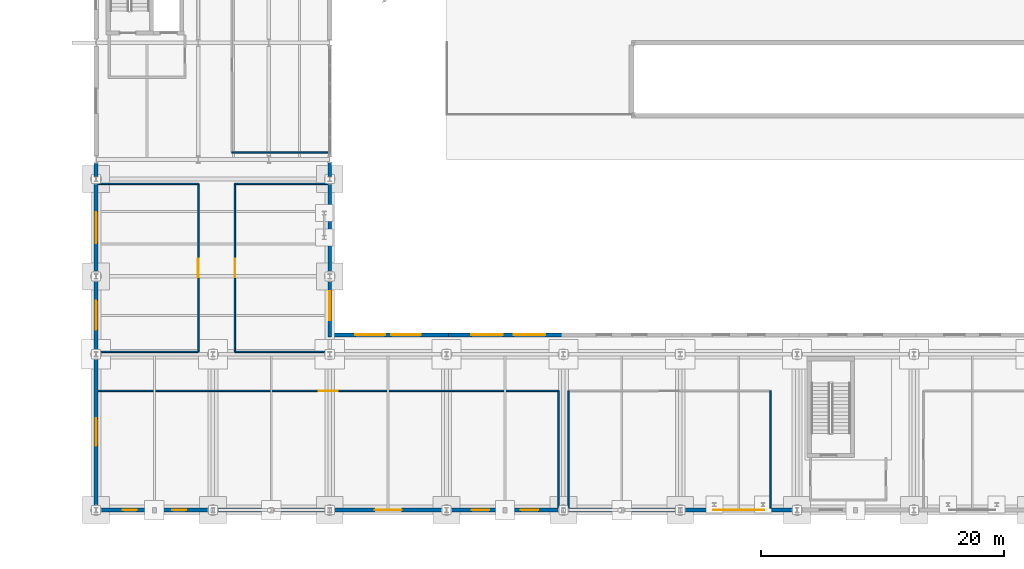
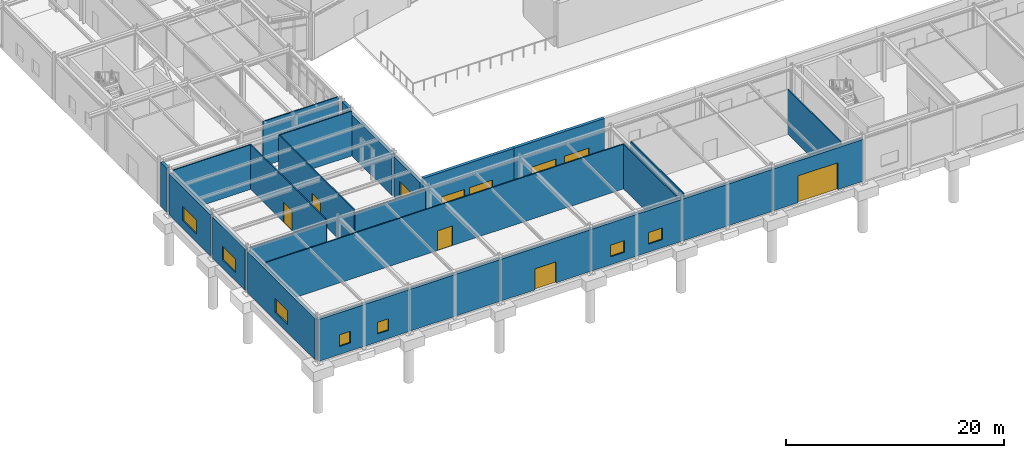
# One storey, part 84 of 109: 26 walls, 12 windows, 5 doors, 17 openings.
"""IFC4 building model written with IfcOpenShell, lengths in metres."""

from ifc_helpers import new_model, si_unit, direction, frame, frame_2d, origin, place, context, subcontext, project, spatial, rectangle, extrude, material, layer, layer_set, type_object, element, fill, save


model = new_model("IFC4")

# Units and contexts
model_context = context("Model", 3, precision=1e-05, world=origin(), true_north=direction((0.0, 1.0)))
body_context = subcontext(model_context, "Body", "Model", "MODEL_VIEW")
ifc_project = project(units=[si_unit("LENGTHUNIT", "METRE"), si_unit("AREAUNIT", "SQUARE_METRE"), si_unit("VOLUMEUNIT", "CUBIC_METRE"), si_unit("PLANEANGLEUNIT", "RADIAN"), si_unit("MASSUNIT", "GRAM", prefix="KILO")], contexts=[model_context])

# Site, building, storey
site_placement = place(None, origin())
site = spatial("IfcSite", under=ifc_project, at=site_placement, CompositionType="ELEMENT")
building_placement = place(site_placement, origin())
building = spatial("IfcBuilding", under=site, at=building_placement, Name="Nordkorset Police Headquarters", CompositionType="ELEMENT")
storey_placement = place(building_placement, origin())
storey = spatial("IfcBuildingStorey", under=building, at=storey_placement, Name="L00", CompositionType="ELEMENT", Elevation=0.0)

# Wall, openings, windows
ifc_material_1 = material(Name="Precast concrete C40/50", Category="concrete")
ifc_layer_1 = layer(ifc_material_1, 0.320068359375, Name="Precast concrete C40/50")
ifc_layer_set_1 = layer_set([ifc_layer_1], Name="Precast concrete C40/50")
wall_type_1 = type_object("IfcWallType", Name="Wall_ExtPlinth_320", PredefinedType="SOLIDWALL", material=ifc_layer_set_1)
wall_1_placement = place(storey_placement, frame((0.0087890625, 0.0, 0.0), z_axis=(0.0, 0.0, 1.0), x_axis=(1.0, 0.0, 0.0)))
wall_1 = element("IfcWall", 1, at=wall_1_placement, inside=storey, type_object=wall_type_1, Name="Exterior Insulated Precast Wall L00 V7S-0", PredefinedType="SOLIDWALL", context=body_context, shape_type="SweptSolid", body=[
    extrude(rectangle(XDim=9.58251953125, YDim=0.320068359375, at=frame_2d((4.791259765625, 0.0))), origin(), (0.0, 0.0, 1.0), 4.669921875),
])
opening_1_placement = place(wall_1_placement, frame((2.19970703125, 0.0, 0.89990234375)))
opening_1 = element("IfcOpeningElement", 2, at=opening_1_placement, cuts=wall_1, Name="Opening WN-48", PredefinedType="OPENING", context=body_context, shape_type="SweptSolid", body=[
    extrude(rectangle(XDim=1.14990234375, YDim=1.300048828125, at=frame_2d((0.574951171875, 0.64990234375))), frame((0.0, 0.169921875, 0.0), z_axis=(0.0, -1.0, 0.0), x_axis=(1.0, 0.0, 0.0)), (0.0, 0.0, 1.0), 0.340087890625),
])
opening_2_placement = place(wall_1_placement, frame((6.23291015625, 0.0, 0.89990234375)))
opening_2 = element("IfcOpeningElement", 3, at=opening_2_placement, cuts=wall_1, Name="Opening WN-48", PredefinedType="OPENING", context=body_context, shape_type="SweptSolid", body=[
    extrude(rectangle(XDim=1.14990234375, YDim=1.300048828125, at=frame_2d((0.574951171875, 0.64990234375))), frame((0.0, 0.169921875, 0.0), z_axis=(0.0, -1.0, 0.0), x_axis=(1.0, 0.0, 0.0)), (0.0, 0.0, 1.0), 0.340087890625),
])
ifc_material_2 = material(Name="Low-iron triple glazing", Category="glass")
window_type_1 = type_object("IfcWindowType", Name="Win_1150x1300", PartitioningType="SINGLE_PANEL", PredefinedType="WINDOW", material=ifc_material_2)
window_1_placement = place(opening_1_placement, origin())
window_1 = element("IfcWindow", 4, at=window_1_placement, inside=storey, type_object=window_type_1, Name="Triple-Glazed Exterior Window L00 V7S-0-1", OverallHeight=1.300048828125, OverallWidth=1.14990234375, PartitioningType="SINGLE_PANEL", PredefinedType="WINDOW", context=body_context, shape_type="SweptSolid", body=[
    extrude(rectangle(XDim=1.14990234375, YDim=1.300048828125, at=frame_2d((0.574951171875, 0.64990234375))), frame((0.0, 0.030029296875, 0.0), z_axis=(0.0, -1.0, 0.0), x_axis=(1.0, 0.0, 0.0)), (0.0, 0.0, 1.0), 0.06005859375),
])
fill(opening_1, window_1)
window_2_placement = place(opening_2_placement, origin())
window_2 = element("IfcWindow", 5, at=window_2_placement, inside=storey, type_object=window_type_1, Name="Triple-Glazed Exterior Window L00 V7S-0-2", OverallHeight=1.300048828125, OverallWidth=1.14990234375, PartitioningType="SINGLE_PANEL", PredefinedType="WINDOW", context=body_context, shape_type="SweptSolid", body=[
    extrude(rectangle(XDim=1.14990234375, YDim=1.300048828125, at=frame_2d((0.574951171875, 0.64990234375))), frame((0.0, 0.030029296875, 0.0), z_axis=(0.0, -1.0, 0.0), x_axis=(1.0, 0.0, 0.0)), (0.0, 0.0, 1.0), 0.06005859375),
])
fill(opening_2, window_2)

# Wall
wall_2_placement = place(storey_placement, frame((9.608642578125, 0.0, 0.0), z_axis=(0.0, 0.0, 1.0), x_axis=(1.0, 0.0, 0.0)))
element("IfcWall", 6, at=wall_2_placement, inside=storey, type_object=wall_type_1, Name="Exterior Insulated Precast Wall L00 V7S-1", PredefinedType="SOLIDWALL", context=body_context, shape_type="SweptSolid", body=[
    extrude(rectangle(XDim=9.58251953125, YDim=0.320068359375, at=frame_2d((4.791259765625, 0.0))), origin(), (0.0, 0.0, 1.0), 4.669921875),
])

# Wall, opening, door
wall_3_placement = place(storey_placement, frame((19.208740234375, 0.0, 0.0), z_axis=(0.0, 0.0, 1.0), x_axis=(1.0, 0.0, 0.0)))
wall_3 = element("IfcWall", 7, at=wall_3_placement, inside=storey, type_object=wall_type_1, Name="Exterior Insulated Precast Wall L00 V7S-ED10", PredefinedType="SOLIDWALL", context=body_context, shape_type="SweptSolid", body=[
    extrude(rectangle(XDim=9.58251953125, YDim=0.320068359375, at=frame_2d((4.791259765625, 0.0))), origin(), (0.0, 0.0, 1.0), 4.669921875),
])
opening_3_placement = place(wall_3_placement, frame((3.69140625, 0.0, 0.0)))
opening_3 = element("IfcOpeningElement", 8, at=opening_3_placement, cuts=wall_3, Name="Opening ED-10", PredefinedType="OPENING", context=body_context, shape_type="SweptSolid", body=[
    extrude(rectangle(XDim=2.199951171875, YDim=2.35009765625, at=frame_2d((1.10009765625, 1.175048828125))), frame((0.0, 0.169921875, 0.0), z_axis=(0.0, -1.0, 0.0), x_axis=(1.0, 0.0, 0.0)), (0.0, 0.0, 1.0), 0.340087890625),
])
ifc_material_3 = material(Name="Aluminium alloy AW-6060", Category="aluminium")
door_type_1 = type_object("IfcDoorType", Name="ExtDoor_CivicExit_2200x2350", OperationType="DOUBLE_DOOR_SINGLE_SWING", PredefinedType="DOOR", material=ifc_material_3)
door_1_placement = place(opening_3_placement, frame((2.199951171875, 0.0, 0.0), z_axis=(0.0, 0.0, 1.0), x_axis=(-1.0, 0.0, 0.0)))
door_1 = element("IfcDoor", 9, at=door_1_placement, inside=storey, type_object=door_type_1, Name="Logistics Plinth West Final Exit Door ED-10", OperationType="SINGLE_SWING_LEFT", OverallHeight=2.35009765625, OverallWidth=2.199951171875, PredefinedType="DOOR", context=body_context, shape_type="SweptSolid", body=[
    extrude(rectangle(XDim=2.199951171875, YDim=2.35009765625, at=frame_2d((1.10009765625, 1.175048828125))), frame((0.0, 0.02490234375, 0.0), z_axis=(0.0, -1.0, 0.0), x_axis=(1.0, 0.0, 0.0)), (0.0, 0.0, 1.0), 0.050048828125),
])
fill(opening_3, door_1)

# Wall, openings, windows
wall_4_placement = place(storey_placement, frame((28.808837890625, 0.0, 0.0), z_axis=(0.0, 0.0, 1.0), x_axis=(1.0, 0.0, 0.0)))
wall_4 = element("IfcWall", 10, at=wall_4_placement, inside=storey, type_object=wall_type_1, Name="Exterior Insulated Precast Wall L00 V7S-3", PredefinedType="SOLIDWALL", context=body_context, shape_type="SweptSolid", body=[
    extrude(rectangle(XDim=9.58251953125, YDim=0.320068359375, at=frame_2d((4.791259765625, 0.0))), origin(), (0.0, 0.0, 1.0), 4.669921875),
])
opening_4_placement = place(wall_4_placement, frame((2.049560546875, 0.0, 0.89990234375)))
opening_4 = element("IfcOpeningElement", 11, at=opening_4_placement, cuts=wall_4, Name="Opening WN-02", PredefinedType="OPENING", context=body_context, shape_type="SweptSolid", body=[
    extrude(rectangle(XDim=1.449951171875, YDim=1.300048828125, at=frame_2d((0.72509765625, 0.64990234375))), frame((0.0, 0.169921875, 0.0), z_axis=(0.0, -1.0, 0.0), x_axis=(1.0, 0.0, 0.0)), (0.0, 0.0, 1.0), 0.340087890625),
])
opening_5_placement = place(wall_4_placement, frame((6.0830078125, 0.0, 0.89990234375)))
opening_5 = element("IfcOpeningElement", 12, at=opening_5_placement, cuts=wall_4, Name="Opening WN-02", PredefinedType="OPENING", context=body_context, shape_type="SweptSolid", body=[
    extrude(rectangle(XDim=1.449951171875, YDim=1.300048828125, at=frame_2d((0.72509765625, 0.64990234375))), frame((0.0, 0.169921875, 0.0), z_axis=(0.0, -1.0, 0.0), x_axis=(1.0, 0.0, 0.0)), (0.0, 0.0, 1.0), 0.340087890625),
])
ifc_material_4 = material(Name="Low-iron triple glazing", Category="glass")
window_type_2 = type_object("IfcWindowType", Name="Win_1450x1300", PartitioningType="SINGLE_PANEL", PredefinedType="WINDOW", material=ifc_material_4)
window_3_placement = place(opening_4_placement, origin())
window_3 = element("IfcWindow", 13, at=window_3_placement, inside=storey, type_object=window_type_2, Name="Triple-Glazed Exterior Window L00 V7S-3-1", OverallHeight=1.300048828125, OverallWidth=1.449951171875, PartitioningType="SINGLE_PANEL", PredefinedType="WINDOW", context=body_context, shape_type="SweptSolid", body=[
    extrude(rectangle(XDim=1.449951171875, YDim=1.300048828125, at=frame_2d((0.72509765625, 0.64990234375))), frame((0.0, 0.030029296875, 0.0), z_axis=(0.0, -1.0, 0.0), x_axis=(1.0, 0.0, 0.0)), (0.0, 0.0, 1.0), 0.06005859375),
])
fill(opening_4, window_3)
window_4_placement = place(opening_5_placement, origin())
window_4 = element("IfcWindow", 14, at=window_4_placement, inside=storey, type_object=window_type_2, Name="Triple-Glazed Exterior Window L00 V7S-3-2", OverallHeight=1.300048828125, OverallWidth=1.449951171875, PartitioningType="SINGLE_PANEL", PredefinedType="WINDOW", context=body_context, shape_type="SweptSolid", body=[
    extrude(rectangle(XDim=1.449951171875, YDim=1.300048828125, at=frame_2d((0.72509765625, 0.64990234375))), frame((0.0, 0.030029296875, 0.0), z_axis=(0.0, -1.0, 0.0), x_axis=(1.0, 0.0, 0.0)), (0.0, 0.0, 1.0), 0.06005859375),
])
fill(opening_5, window_4)

# Wall
wall_5_placement = place(storey_placement, frame((38.40869140625, 0.0, 0.0), z_axis=(0.0, 0.0, 1.0), x_axis=(1.0, 0.0, 0.0)))
element("IfcWall", 15, at=wall_5_placement, inside=storey, type_object=wall_type_1, Name="Exterior Insulated Precast Wall L00 V7S-4", PredefinedType="SOLIDWALL", context=body_context, shape_type="SweptSolid", body=[
    extrude(rectangle(XDim=9.58251953125, YDim=0.320068359375, at=frame_2d((4.791259765625, 0.0))), origin(), (0.0, 0.0, 1.0), 4.669921875),
])

# Wall, opening, door
wall_6_placement = place(storey_placement, frame((48.0087890625, 0.0, 0.0), z_axis=(0.0, 0.0, 1.0), x_axis=(1.0, 0.0, 0.0)))
wall_6 = element("IfcWall", 16, at=wall_6_placement, inside=storey, type_object=wall_type_1, Name="Exterior Insulated Precast Wall L00 V7S-VG04", PredefinedType="SOLIDWALL", context=body_context, shape_type="SweptSolid", body=[
    extrude(rectangle(XDim=9.58251953125, YDim=0.320068359375, at=frame_2d((4.791259765625, 0.0))), origin(), (0.0, 0.0, 1.0), 4.669921875),
])
opening_6_placement = place(wall_6_placement, frame((2.69140625, 0.0, 0.0)))
opening_6 = element("IfcOpeningElement", 17, at=opening_6_placement, cuts=wall_6, Name="Opening VG-04", PredefinedType="OPENING", context=body_context, shape_type="SweptSolid", body=[
    extrude(rectangle(XDim=4.199951171875, YDim=3.0, at=frame_2d((2.10009765625, 1.5))), frame((0.0, 0.169921875, 0.0), z_axis=(0.0, -1.0, 0.0), x_axis=(1.0, 0.0, 0.0)), (0.0, 0.0, 1.0), 0.340087890625),
])
ifc_material_5 = material(Name="Steel S355J2", Category="steel")
door_type_2 = type_object("IfcDoorType", Name="Shutter_FleetBay_4200x3000", OperationType="ROLLINGUP", PredefinedType="USERDEFINED", material=ifc_material_5)
door_2_placement = place(opening_6_placement, frame((4.199951171875, 0.0, 0.0), z_axis=(0.0, 0.0, 1.0), x_axis=(-1.0, 0.0, 0.0)))
door_2 = element("IfcDoor", 18, at=door_2_placement, inside=storey, type_object=door_type_2, Name="Fleet Wash Bay Roller Shutter VG-04", ObjectType="ROLLER SHUTTER", OperationType="SINGLE_SWING_LEFT", OverallHeight=3.0, OverallWidth=4.199951171875, PredefinedType="USERDEFINED", context=body_context, shape_type="SweptSolid", body=[
    extrude(rectangle(XDim=4.199951171875, YDim=3.0, at=frame_2d((2.10009765625, 1.5))), frame((0.0, 0.02490234375, 0.0), z_axis=(0.0, -1.0, 0.0), x_axis=(1.0, 0.0, 0.0)), (0.0, 0.0, 1.0), 0.050048828125),
])
fill(opening_6, door_2)

# Wall, opening, window
wall_7_placement = place(storey_placement, frame((0.0, 0.201904296875, 0.0), z_axis=(0.0, 0.0, 1.0), x_axis=(0.0, 1.0, 0.0)))
wall_7 = element("IfcWall", 19, at=wall_7_placement, inside=storey, type_object=wall_type_1, Name="Exterior Insulated Precast Wall L00 V7W-OUT-0", PredefinedType="SOLIDWALL", context=body_context, shape_type="SweptSolid", body=[
    extrude(rectangle(XDim=12.39599609375, YDim=0.320068359375, at=frame_2d((6.197998046875, 0.0))), origin(), (0.0, 0.0, 1.0), 4.590087890625),
])
opening_7_placement = place(wall_7_placement, frame((5.072998046875, 0.0, 0.89990234375)))
opening_7 = element("IfcOpeningElement", 20, at=opening_7_placement, cuts=wall_7, Name="Opening WN-41", PredefinedType="OPENING", context=body_context, shape_type="SweptSolid", body=[
    extrude(rectangle(XDim=2.25, YDim=1.550048828125, at=frame_2d((1.125, 0.77490234375))), frame((0.0, 0.169921875, 0.0), z_axis=(0.0, -1.0, 0.0), x_axis=(1.0, 0.0, 0.0)), (0.0, 0.0, 1.0), 0.340087890625),
])
ifc_material_6 = material(Name="Low-iron triple glazing", Category="glass")
window_type_3 = type_object("IfcWindowType", Name="Win_2250x1550", PartitioningType="SINGLE_PANEL", PredefinedType="WINDOW", material=ifc_material_6)
window_5_placement = place(opening_7_placement, origin())
window_5 = element("IfcWindow", 21, at=window_5_placement, inside=storey, type_object=window_type_3, Name="Triple-Glazed Exterior Window L00 V7W-OUT-0-1", OverallHeight=1.550048828125, OverallWidth=2.25, PartitioningType="SINGLE_PANEL", PredefinedType="WINDOW", context=body_context, shape_type="SweptSolid", body=[
    extrude(rectangle(XDim=2.25, YDim=1.550048828125, at=frame_2d((1.125, 0.77490234375))), frame((0.0, 0.030029296875, 0.0), z_axis=(0.0, -1.0, 0.0), x_axis=(1.0, 0.0, 0.0)), (0.0, 0.0, 1.0), 0.06005859375),
])
fill(opening_7, window_5)

wall_8_placement = place(storey_placement, frame((0.0, 13.001953125, 0.0), z_axis=(0.0, 0.0, 1.0), x_axis=(0.0, 1.0, 0.0)))
wall_8 = element("IfcWall", 22, at=wall_8_placement, inside=storey, type_object=wall_type_1, Name="Exterior Insulated Precast Wall L00 V7W-OUT-1", PredefinedType="SOLIDWALL", context=body_context, shape_type="SweptSolid", body=[
    extrude(rectangle(XDim=5.99609375, YDim=0.320068359375, at=frame_2d((2.998046875, 0.0))), origin(), (0.0, 0.0, 1.0), 4.590087890625),
])
opening_8_placement = place(wall_8_placement, frame((1.798095703125, 0.0, 0.89990234375)))
opening_8 = element("IfcOpeningElement", 23, at=opening_8_placement, cuts=wall_8, Name="Opening WN-21", PredefinedType="OPENING", context=body_context, shape_type="SweptSolid", body=[
    extrude(rectangle(XDim=2.39990234375, YDim=1.550048828125, at=frame_2d((1.199951171875, 0.77490234375))), frame((0.0, 0.169921875, 0.0), z_axis=(0.0, -1.0, 0.0), x_axis=(1.0, 0.0, 0.0)), (0.0, 0.0, 1.0), 0.340087890625),
])
ifc_material_7 = material(Name="Low-iron triple glazing", Category="glass")
window_type_4 = type_object("IfcWindowType", Name="Win_2400x1550", PartitioningType="SINGLE_PANEL", PredefinedType="WINDOW", material=ifc_material_7)
window_6_placement = place(opening_8_placement, origin())
window_6 = element("IfcWindow", 24, at=window_6_placement, inside=storey, type_object=window_type_4, Name="Triple-Glazed Exterior Window L00 V7W-OUT-1-1", OverallHeight=1.550048828125, OverallWidth=2.39990234375, PartitioningType="SINGLE_PANEL", PredefinedType="WINDOW", context=body_context, shape_type="SweptSolid", body=[
    extrude(rectangle(XDim=2.39990234375, YDim=1.550048828125, at=frame_2d((1.199951171875, 0.77490234375))), frame((0.0, 0.030029296875, 0.0), z_axis=(0.0, -1.0, 0.0), x_axis=(1.0, 0.0, 0.0)), (0.0, 0.0, 1.0), 0.06005859375),
])
fill(opening_8, window_6)

wall_9_placement = place(storey_placement, frame((0.0, 19.402099609375, 0.0), z_axis=(0.0, 0.0, 1.0), x_axis=(0.0, 1.0, 0.0)))
wall_9 = element("IfcWall", 25, at=wall_9_placement, inside=storey, type_object=wall_type_1, Name="Exterior Insulated Precast Wall L00 V7W-OUT-2", PredefinedType="SOLIDWALL", context=body_context, shape_type="SweptSolid", body=[
    extrude(rectangle(XDim=7.595947265625, YDim=0.320068359375, at=frame_2d((3.7978515625, 0.0))), origin(), (0.0, 0.0, 1.0), 4.590087890625),
])
opening_9_placement = place(wall_9_placement, frame((2.52294921875, 0.0, 0.89990234375)))
opening_9 = element("IfcOpeningElement", 26, at=opening_9_placement, cuts=wall_9, Name="Opening WN-06", PredefinedType="OPENING", context=body_context, shape_type="SweptSolid", body=[
    extrude(rectangle(XDim=2.550048828125, YDim=1.550048828125, at=frame_2d((1.27490234375, 0.77490234375))), frame((0.0, 0.169921875, 0.0), z_axis=(0.0, -1.0, 0.0), x_axis=(1.0, 0.0, 0.0)), (0.0, 0.0, 1.0), 0.340087890625),
])
ifc_material_8 = material(Name="Low-iron triple glazing", Category="glass")
window_type_5 = type_object("IfcWindowType", Name="Win_2550x1550", PartitioningType="SINGLE_PANEL", PredefinedType="WINDOW", material=ifc_material_8)
window_7_placement = place(opening_9_placement, origin())
window_7 = element("IfcWindow", 27, at=window_7_placement, inside=storey, type_object=window_type_5, Name="Triple-Glazed Exterior Window L00 V7W-OUT-2-1", OverallHeight=1.550048828125, OverallWidth=2.550048828125, PartitioningType="SINGLE_PANEL", PredefinedType="WINDOW", context=body_context, shape_type="SweptSolid", body=[
    extrude(rectangle(XDim=2.550048828125, YDim=1.550048828125, at=frame_2d((1.27490234375, 0.77490234375))), frame((0.0, 0.030029296875, 0.0), z_axis=(0.0, -1.0, 0.0), x_axis=(1.0, 0.0, 0.0)), (0.0, 0.0, 1.0), 0.06005859375),
])
fill(opening_9, window_7)

wall_10_placement = place(storey_placement, frame((19.199951171875, 14.239990234375, 0.0), z_axis=(0.0, 0.0, 1.0), x_axis=(0.0, 1.0, 0.0)))
wall_10 = element("IfcWall", 28, at=wall_10_placement, inside=storey, type_object=wall_type_1, Name="Exterior Insulated Precast Wall L00 V7W-IN-0", PredefinedType="SOLIDWALL", context=body_context, shape_type="SweptSolid", body=[
    extrude(rectangle(XDim=4.758056640625, YDim=0.320068359375, at=frame_2d((2.37890625, 0.0))), origin(), (0.0, 0.0, 1.0), 4.590087890625),
])
opening_10_placement = place(wall_10_placement, frame((1.360107421875, 0.0, 0.89990234375)))
opening_10 = element("IfcOpeningElement", 29, at=opening_10_placement, cuts=wall_10, Name="Opening WN-21", PredefinedType="OPENING", context=body_context, shape_type="SweptSolid", body=[
    extrude(rectangle(XDim=2.39990234375, YDim=1.550048828125, at=frame_2d((1.199951171875, 0.77490234375))), frame((0.0, 0.169921875, 0.0), z_axis=(0.0, -1.0, 0.0), x_axis=(1.0, 0.0, 0.0)), (0.0, 0.0, 1.0), 0.340087890625),
])
window_8_placement = place(opening_10_placement, origin())
window_8 = element("IfcWindow", 30, at=window_8_placement, inside=storey, type_object=window_type_4, Name="Triple-Glazed Exterior Window L00 V7W-IN-0-1", OverallHeight=1.550048828125, OverallWidth=2.39990234375, PartitioningType="SINGLE_PANEL", PredefinedType="WINDOW", context=body_context, shape_type="SweptSolid", body=[
    extrude(rectangle(XDim=2.39990234375, YDim=1.550048828125, at=frame_2d((1.199951171875, 0.77490234375))), frame((0.0, 0.030029296875, 0.0), z_axis=(0.0, -1.0, 0.0), x_axis=(1.0, 0.0, 0.0)), (0.0, 0.0, 1.0), 0.06005859375),
])
fill(opening_10, window_8)

# Wall
wall_11_placement = place(storey_placement, frame((19.199951171875, 19.402099609375, 0.0), z_axis=(0.0, 0.0, 1.0), x_axis=(0.0, 1.0, 0.0)))
element("IfcWall", 31, at=wall_11_placement, inside=storey, type_object=wall_type_1, Name="Exterior Insulated Precast Wall L00 V7W-IN-1", PredefinedType="SOLIDWALL", context=body_context, shape_type="SweptSolid", body=[
    extrude(rectangle(XDim=7.595947265625, YDim=0.320068359375, at=frame_2d((3.7978515625, 0.0))), origin(), (0.0, 0.0, 1.0), 4.590087890625),
])

# Wall, openings, windows
wall_12_placement = place(storey_placement, frame((19.35595703125, 14.39990234375, 0.0), z_axis=(0.0, 0.0, 1.0), x_axis=(1.0, 0.0, 0.0)))
wall_12 = element("IfcWall", 32, at=wall_12_placement, inside=storey, type_object=wall_type_1, Name="Exterior Insulated Precast Wall L00 V7N-2", PredefinedType="SOLIDWALL", context=body_context, shape_type="SweptSolid", body=[
    extrude(rectangle(XDim=9.60400390625, YDim=0.320068359375, at=frame_2d((4.802001953125, 0.0))), origin(), (0.0, 0.0, 1.0), 4.949951171875),
])
opening_11_placement = place(wall_12_placement, frame((1.952392578125, 0.0, 0.89990234375)))
opening_11 = element("IfcOpeningElement", 33, at=opening_11_placement, cuts=wall_12, Name="Opening WN-46", PredefinedType="OPENING", context=body_context, shape_type="SweptSolid", body=[
    extrude(rectangle(XDim=2.449951171875, YDim=1.300048828125, at=frame_2d((1.22509765625, 0.64990234375))), frame((0.0, 0.169921875, 0.0), z_axis=(0.0, -1.0, 0.0), x_axis=(1.0, 0.0, 0.0)), (0.0, 0.0, 1.0), 0.340087890625),
])
opening_12_placement = place(wall_12_placement, frame((4.8857421875, 0.0, 0.89990234375)))
opening_12 = element("IfcOpeningElement", 34, at=opening_12_placement, cuts=wall_12, Name="Opening WN-46", PredefinedType="OPENING", context=body_context, shape_type="SweptSolid", body=[
    extrude(rectangle(XDim=2.449951171875, YDim=1.300048828125, at=frame_2d((1.22509765625, 0.64990234375))), frame((0.0, 0.169921875, 0.0), z_axis=(0.0, -1.0, 0.0), x_axis=(1.0, 0.0, 0.0)), (0.0, 0.0, 1.0), 0.340087890625),
])
ifc_material_9 = material(Name="Low-iron triple glazing", Category="glass")
window_type_6 = type_object("IfcWindowType", Name="Win_2450x1300", PartitioningType="SINGLE_PANEL", PredefinedType="WINDOW", material=ifc_material_9)
window_9_placement = place(opening_11_placement, origin())
window_9 = element("IfcWindow", 35, at=window_9_placement, inside=storey, type_object=window_type_6, Name="Triple-Glazed Exterior Window L00 V7N-2-1", OverallHeight=1.300048828125, OverallWidth=2.449951171875, PartitioningType="SINGLE_PANEL", PredefinedType="WINDOW", context=body_context, shape_type="SweptSolid", body=[
    extrude(rectangle(XDim=2.449951171875, YDim=1.300048828125, at=frame_2d((1.22509765625, 0.64990234375))), frame((0.0, 0.030029296875, 0.0), z_axis=(0.0, -1.0, 0.0), x_axis=(1.0, 0.0, 0.0)), (0.0, 0.0, 1.0), 0.06005859375),
])
fill(opening_11, window_9)
window_10_placement = place(opening_12_placement, origin())
window_10 = element("IfcWindow", 36, at=window_10_placement, inside=storey, type_object=window_type_6, Name="Triple-Glazed Exterior Window L00 V7N-2-2", OverallHeight=1.300048828125, OverallWidth=2.449951171875, PartitioningType="SINGLE_PANEL", PredefinedType="WINDOW", context=body_context, shape_type="SweptSolid", body=[
    extrude(rectangle(XDim=2.449951171875, YDim=1.300048828125, at=frame_2d((1.22509765625, 0.64990234375))), frame((0.0, 0.030029296875, 0.0), z_axis=(0.0, -1.0, 0.0), x_axis=(1.0, 0.0, 0.0)), (0.0, 0.0, 1.0), 0.06005859375),
])
fill(opening_12, window_10)

wall_13_placement = place(storey_placement, frame((28.639892578125, 14.39990234375, 0.0), z_axis=(0.0, 0.0, 1.0), x_axis=(1.0, 0.0, 0.0)))
wall_13 = element("IfcWall", 37, at=wall_13_placement, inside=storey, type_object=wall_type_1, Name="Exterior Insulated Precast Wall L00 V7N-3", PredefinedType="SOLIDWALL", context=body_context, shape_type="SweptSolid", body=[
    extrude(rectangle(XDim=9.920166015625, YDim=0.320068359375, at=frame_2d((4.9599609375, 0.0))), origin(), (0.0, 0.0, 1.0), 4.949951171875),
])
opening_13_placement = place(wall_13_placement, frame((2.193359375, 0.0, 0.89990234375)))
opening_13 = element("IfcOpeningElement", 38, at=opening_13_placement, cuts=wall_13, Name="Opening WN-34", PredefinedType="OPENING", context=body_context, shape_type="SweptSolid", body=[
    extrude(rectangle(XDim=2.60009765625, YDim=1.300048828125, at=frame_2d((1.300048828125, 0.64990234375))), frame((0.0, 0.169921875, 0.0), z_axis=(0.0, -1.0, 0.0), x_axis=(1.0, 0.0, 0.0)), (0.0, 0.0, 1.0), 0.340087890625),
])
opening_14_placement = place(wall_13_placement, frame((5.6767578125, 0.0, 0.89990234375)))
opening_14 = element("IfcOpeningElement", 39, at=opening_14_placement, cuts=wall_13, Name="Opening WN-34", PredefinedType="OPENING", context=body_context, shape_type="SweptSolid", body=[
    extrude(rectangle(XDim=2.60009765625, YDim=1.300048828125, at=frame_2d((1.300048828125, 0.64990234375))), frame((0.0, 0.169921875, 0.0), z_axis=(0.0, -1.0, 0.0), x_axis=(1.0, 0.0, 0.0)), (0.0, 0.0, 1.0), 0.340087890625),
])
ifc_material_10 = material(Name="Low-iron triple glazing", Category="glass")
window_type_7 = type_object("IfcWindowType", Name="Win_2600x1300", PartitioningType="SINGLE_PANEL", PredefinedType="WINDOW", material=ifc_material_10)
window_11_placement = place(opening_13_placement, origin())
window_11 = element("IfcWindow", 40, at=window_11_placement, inside=storey, type_object=window_type_7, Name="Triple-Glazed Exterior Window L00 V7N-3-1", OverallHeight=1.300048828125, OverallWidth=2.60009765625, PartitioningType="SINGLE_PANEL", PredefinedType="WINDOW", context=body_context, shape_type="SweptSolid", body=[
    extrude(rectangle(XDim=2.60009765625, YDim=1.300048828125, at=frame_2d((1.300048828125, 0.64990234375))), frame((0.0, 0.030029296875, 0.0), z_axis=(0.0, -1.0, 0.0), x_axis=(1.0, 0.0, 0.0)), (0.0, 0.0, 1.0), 0.06005859375),
])
fill(opening_13, window_11)
window_12_placement = place(opening_14_placement, origin())
window_12 = element("IfcWindow", 41, at=window_12_placement, inside=storey, type_object=window_type_7, Name="Triple-Glazed Exterior Window L00 V7N-3-2", OverallHeight=1.300048828125, OverallWidth=2.60009765625, PartitioningType="SINGLE_PANEL", PredefinedType="WINDOW", context=body_context, shape_type="SweptSolid", body=[
    extrude(rectangle(XDim=2.60009765625, YDim=1.300048828125, at=frame_2d((1.300048828125, 0.64990234375))), frame((0.0, 0.030029296875, 0.0), z_axis=(0.0, -1.0, 0.0), x_axis=(1.0, 0.0, 0.0)), (0.0, 0.0, 1.0), 0.06005859375),
])
fill(opening_14, window_12)

# Walls
wall_14_placement = place(storey_placement, frame((0.0, 27.402099609375, 0.0), z_axis=(0.0, 0.0, 1.0), x_axis=(0.0, 1.0, 0.0)))
element("IfcWall", 42, at=wall_14_placement, inside=storey, type_object=wall_type_1, Name="Exterior Insulated Precast Wall L00 V7W-JNC-O", PredefinedType="SOLIDWALL", context=body_context, shape_type="SweptSolid", body=[
    extrude(rectangle(XDim=1.095947265625, YDim=0.320068359375, at=frame_2d((0.5478515625, 0.0))), origin(), (0.0, 0.0, 1.0), 4.949951171875),
])
wall_15_placement = place(storey_placement, frame((19.199951171875, 27.402099609375, 0.0), z_axis=(0.0, 0.0, 1.0), x_axis=(0.0, 1.0, 0.0)))
element("IfcWall", 43, at=wall_15_placement, inside=storey, type_object=wall_type_1, Name="Exterior Insulated Precast Wall L00 V7W-JNC-I", PredefinedType="SOLIDWALL", context=body_context, shape_type="SweptSolid", body=[
    extrude(rectangle(XDim=1.14599609375, YDim=0.320068359375, at=frame_2d((0.572998046875, 0.0))), origin(), (0.0, 0.0, 1.0), 4.949951171875),
])
ifc_material_11 = material(Name="Gypsum board", Category="gypsum")
ifc_layer_2 = layer(ifc_material_11, 0.1201171875, Name="Gypsum board")
ifc_layer_set_2 = layer_set([ifc_layer_2], Name="Gypsum board")
wall_type_2 = type_object("IfcWallType", Name="Wall_Part_120", PredefinedType="PARTITIONING", material=ifc_layer_set_2)
wall_16_placement = place(storey_placement, frame((11.159912109375, 29.39990234375, 0.0), z_axis=(0.0, 0.0, 1.0), x_axis=(1.0, 0.0, 0.0)))
element("IfcWall", 44, at=wall_16_placement, inside=storey, type_object=wall_type_2, Name="Interior Partition Wall Biohazard Decontamination Suite", PredefinedType="PARTITIONING", context=body_context, shape_type="SweptSolid", body=[
    extrude(rectangle(XDim=7.955078125, YDim=0.1201171875, at=frame_2d((3.9775390625, 0.0))), origin(), (0.0, 0.0, 1.0), 5.0),
])
wall_17_placement = place(storey_placement, frame((38.0, 0.155029296875, 0.0), z_axis=(0.0, 0.0, 1.0), x_axis=(0.0, 1.0, 0.0)))
element("IfcWall", 45, at=wall_17_placement, inside=storey, type_object=wall_type_2, Name="Interior Partition Wall Radio and Fleet Workshop", PredefinedType="PARTITIONING", context=body_context, shape_type="SweptSolid", body=[
    extrude(rectangle(XDim=9.64501953125, YDim=0.1201171875, at=frame_2d((4.822509765625, 0.0))), origin(), (0.0, 0.0, 1.0), 5.0),
])

# Wall, opening, door
wall_18_placement = place(storey_placement, frame((38.0, 9.800048828125, 0.0), z_axis=(0.0, 0.0, 1.0), x_axis=(-1.0, 0.0, 0.0)))
wall_18 = element("IfcWall", 46, at=wall_18_placement, inside=storey, type_object=wall_type_2, Name="Interior Partition Wall Radio and Fleet Workshop", PredefinedType="PARTITIONING", context=body_context, shape_type="SweptSolid", body=[
    extrude(rectangle(XDim=37.844970703125, YDim=0.1201171875, at=frame_2d((18.92236328125, 0.0))), origin(), (0.0, 0.0, 1.0), 5.0),
])
opening_15_placement = place(wall_18_placement, frame((18.152587890625, 0.0, 0.0)))
opening_15 = element("IfcOpeningElement", 47, at=opening_15_placement, cuts=wall_18, Name="Opening DR-03", PredefinedType="OPENING", context=body_context, shape_type="SweptSolid", body=[
    extrude(rectangle(XDim=1.5400390625, YDim=2.199951171875, at=frame_2d((0.77001953125, 1.10009765625))), frame((0.0, 0.070068359375, 0.0), z_axis=(0.0, -1.0, 0.0), x_axis=(1.0, 0.0, 0.0)), (0.0, 0.0, 1.0), 0.14013671875),
])
ifc_material_12 = material(Name="Steel S355J2", Category="steel")
door_type_3 = type_object("IfcDoorType", Name="Door_Workshop_1540x2200", OperationType="DOUBLE_DOOR_SINGLE_SWING", PredefinedType="DOOR", material=ifc_material_12)
door_3_placement = place(opening_15_placement, origin())
door_3 = element("IfcDoor", 48, at=door_3_placement, inside=storey, type_object=door_type_3, Name="Interior Door Radio and Fleet Workshop", OperationType="DOUBLE_DOOR_SINGLE_SWING", OverallHeight=2.199951171875, OverallWidth=1.5400390625, PredefinedType="DOOR", context=body_context, shape_type="SweptSolid", body=[
    extrude(rectangle(XDim=1.5400390625, YDim=2.199951171875, at=frame_2d((0.77001953125, 1.10009765625))), frame((0.0, 0.02490234375, 0.0), z_axis=(0.0, -1.0, 0.0), x_axis=(1.0, 0.0, 0.0)), (0.0, 0.0, 1.0), 0.050048828125),
])
fill(opening_15, door_3)

# Walls
for number, where, z_axis, x_axis, name in (
    (49, (55.39990234375, 0.155029296875, 0.0), (0.0, 0.0, 1.0), (0.0, 1.0, 0.0), "Interior Partition Wall Fleet Wash and Inspection Bay"),
    (50, (38.800048828125, 9.800048828125, 0.0), (0.0, 0.0, 1.0), (0.0, -1.0, 0.0), "Interior Partition Wall Fleet Wash and Inspection Bay"),
):
    element("IfcWall", number, at=place(storey_placement, frame(where, z_axis=z_axis, x_axis=x_axis)), inside=storey, type_object=wall_type_2, Name=name, PredefinedType="PARTITIONING", context=body_context, shape_type="SweptSolid", body=[
        extrude(rectangle(XDim=9.64501953125, YDim=0.1201171875, at=frame_2d((4.822509765625, 0.0))), origin(), (0.0, 0.0, 1.0), 5.0),
    ])
wall_19_placement = place(storey_placement, frame((0.35009765625, 13.0, 0.0), z_axis=(0.0, 0.0, 1.0), x_axis=(1.0, 0.0, 0.0)))
element("IfcWall", 51, at=wall_19_placement, inside=storey, type_object=wall_type_2, Name="Interior Partition Wall Traffic Enforcement Equipment Store", PredefinedType="PARTITIONING", context=body_context, shape_type="SweptSolid", body=[
    extrude(rectangle(XDim=8.0498046875, YDim=0.1201171875, at=frame_2d((4.02490234375, 0.0))), origin(), (0.0, 0.0, 1.0), 4.669921875),
])

# Wall, opening, door
wall_20_placement = place(storey_placement, frame((8.39990234375, 13.0, 0.0), z_axis=(0.0, 0.0, 1.0), x_axis=(0.0, 1.0, 0.0)))
wall_20 = element("IfcWall", 52, at=wall_20_placement, inside=storey, type_object=wall_type_2, Name="Interior Partition Wall Traffic Enforcement Equipment Store", PredefinedType="PARTITIONING", context=body_context, shape_type="SweptSolid", body=[
    extrude(rectangle(XDim=13.800048828125, YDim=0.1201171875, at=frame_2d((6.89990234375, 0.0))), origin(), (0.0, 0.0, 1.0), 5.0),
])
opening_16_placement = place(wall_20_placement, frame((6.1298828125, 0.0, 0.0)))
opening_16 = element("IfcOpeningElement", 53, at=opening_16_placement, cuts=wall_20, Name="Opening DR-03", PredefinedType="OPENING", context=body_context, shape_type="SweptSolid", body=[
    extrude(rectangle(XDim=1.5400390625, YDim=2.199951171875, at=frame_2d((0.77001953125, 1.10009765625))), frame((0.0, 0.070068359375, 0.0), z_axis=(0.0, -1.0, 0.0), x_axis=(1.0, 0.0, 0.0)), (0.0, 0.0, 1.0), 0.14013671875),
])
door_4_placement = place(opening_16_placement, frame((1.5400390625, 0.0, 0.0), z_axis=(0.0, 0.0, 1.0), x_axis=(-1.0, 0.0, 0.0)))
door_4 = element("IfcDoor", 54, at=door_4_placement, inside=storey, type_object=door_type_3, Name="Interior Door Traffic Enforcement Equipment Store", OperationType="DOUBLE_DOOR_SINGLE_SWING", OverallHeight=2.199951171875, OverallWidth=1.5400390625, PredefinedType="DOOR", context=body_context, shape_type="SweptSolid", body=[
    extrude(rectangle(XDim=1.5400390625, YDim=2.199951171875, at=frame_2d((0.77001953125, 1.10009765625))), frame((0.0, 0.02490234375, 0.0), z_axis=(0.0, -1.0, 0.0), x_axis=(1.0, 0.0, 0.0)), (0.0, 0.0, 1.0), 0.050048828125),
])
fill(opening_16, door_4)

# Walls
wall_21_placement = place(storey_placement, frame((8.39990234375, 26.800048828125, 0.0), z_axis=(0.0, 0.0, 1.0), x_axis=(-1.0, 0.0, 0.0)))
element("IfcWall", 55, at=wall_21_placement, inside=storey, type_object=wall_type_2, Name="Interior Partition Wall Traffic Enforcement Equipment Store", PredefinedType="PARTITIONING", context=body_context, shape_type="SweptSolid", body=[
    extrude(rectangle(XDim=8.244873046875, YDim=0.1201171875, at=frame_2d((4.12255859375, 0.0))), origin(), (0.0, 0.0, 1.0), 5.0),
])
wall_22_placement = place(storey_placement, frame((11.39990234375, 13.0, 0.0), z_axis=(0.0, 0.0, 1.0), x_axis=(1.0, 0.0, 0.0)))
element("IfcWall", 56, at=wall_22_placement, inside=storey, type_object=wall_type_2, Name="Interior Partition Wall Road Safety Signalling Store", PredefinedType="PARTITIONING", context=body_context, shape_type="SweptSolid", body=[
    extrude(rectangle(XDim=7.4501953125, YDim=0.1201171875, at=frame_2d((3.72509765625, 0.0))), origin(), (0.0, 0.0, 1.0), 4.669921875),
])
wall_23_placement = place(storey_placement, frame((19.044921875, 26.800048828125, 0.0), z_axis=(0.0, 0.0, 1.0), x_axis=(-1.0, 0.0, 0.0)))
element("IfcWall", 57, at=wall_23_placement, inside=storey, type_object=wall_type_2, Name="Interior Partition Wall Road Safety Signalling Store", PredefinedType="PARTITIONING", context=body_context, shape_type="SweptSolid", body=[
    extrude(rectangle(XDim=7.64501953125, YDim=0.1201171875, at=frame_2d((3.822509765625, 0.0))), origin(), (0.0, 0.0, 1.0), 5.0),
])

# Wall, opening, door
wall_24_placement = place(storey_placement, frame((11.39990234375, 26.800048828125, 0.0), z_axis=(0.0, 0.0, 1.0), x_axis=(0.0, -1.0, 0.0)))
wall_24 = element("IfcWall", 58, at=wall_24_placement, inside=storey, type_object=wall_type_2, Name="Interior Partition Wall Road Safety Signalling Store", PredefinedType="PARTITIONING", context=body_context, shape_type="SweptSolid", body=[
    extrude(rectangle(XDim=13.800048828125, YDim=0.1201171875, at=frame_2d((6.89990234375, 0.0))), origin(), (0.0, 0.0, 1.0), 5.0),
])
opening_17_placement = place(wall_24_placement, frame((6.1298828125, 0.0, 0.0)))
opening_17 = element("IfcOpeningElement", 59, at=opening_17_placement, cuts=wall_24, Name="Opening DR-03", PredefinedType="OPENING", context=body_context, shape_type="SweptSolid", body=[
    extrude(rectangle(XDim=1.5400390625, YDim=2.199951171875, at=frame_2d((0.77001953125, 1.10009765625))), frame((0.0, 0.070068359375, 0.0), z_axis=(0.0, -1.0, 0.0), x_axis=(1.0, 0.0, 0.0)), (0.0, 0.0, 1.0), 0.14013671875),
])
door_5_placement = place(opening_17_placement, origin())
door_5 = element("IfcDoor", 60, at=door_5_placement, inside=storey, type_object=door_type_3, Name="Interior Door Road Safety Signalling Store", OperationType="DOUBLE_DOOR_SINGLE_SWING", OverallHeight=2.199951171875, OverallWidth=1.5400390625, PredefinedType="DOOR", context=body_context, shape_type="SweptSolid", body=[
    extrude(rectangle(XDim=1.5400390625, YDim=2.199951171875, at=frame_2d((0.77001953125, 1.10009765625))), frame((0.0, 0.02490234375, 0.0), z_axis=(0.0, -1.0, 0.0), x_axis=(1.0, 0.0, 0.0)), (0.0, 0.0, 1.0), 0.050048828125),
])
fill(opening_17, door_5)

save(model, "model.ifc")
